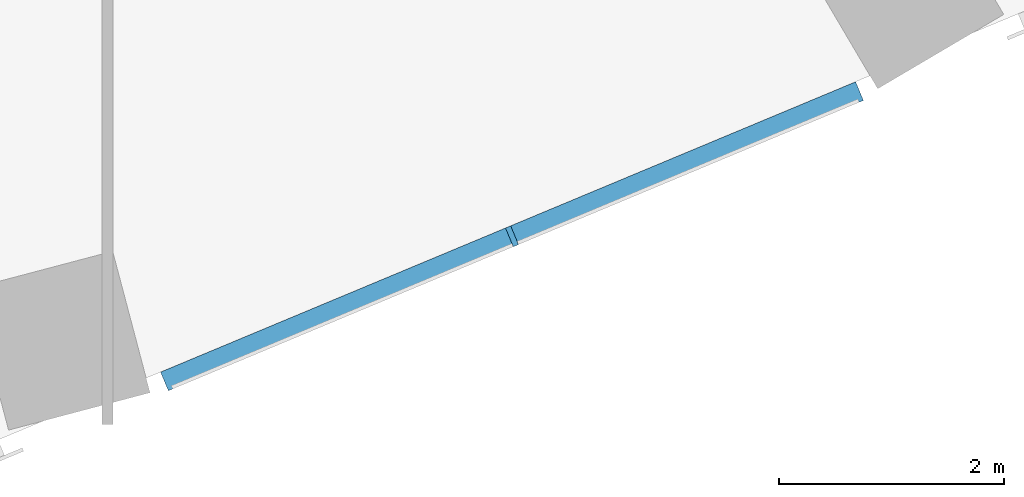
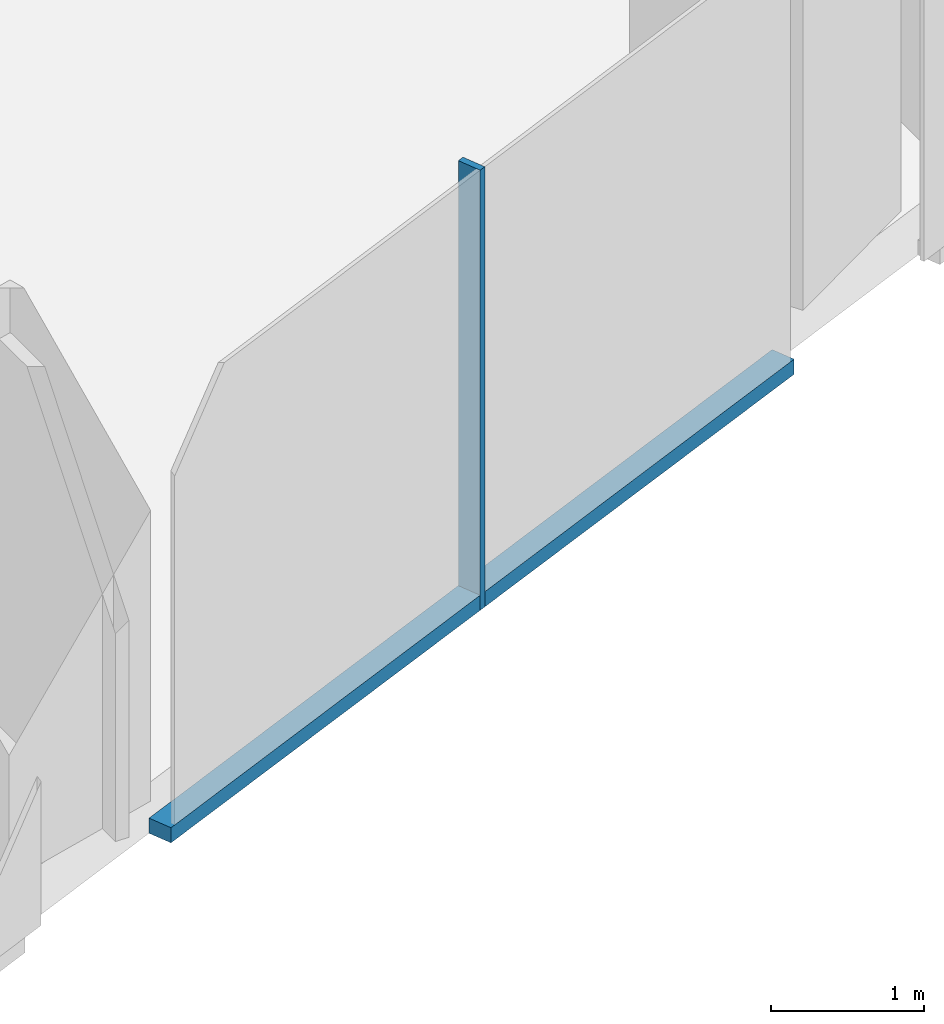
# One storey, part 6 of 34: 2 members, 1 element without a shape of its own.
"""IFC4 building model written with IfcOpenShell, lengths in metres."""

from ifc_helpers import new_model, si_unit, direction, frame, origin, origin_2d, place, context, subcontext, project, spatial, rectangle, extrude, material, material_profile, profile_set, type_object, element, aggregate, save


model = new_model("IFC4")

# Units and contexts
model_context = context("Model", 3, precision=1e-05, world=origin(), true_north=direction((0.0, 1.0)))
body_context = subcontext(model_context, "Body", "Model", "MODEL_VIEW")
ifc_project = project(units=[si_unit("LENGTHUNIT", "METRE"), si_unit("AREAUNIT", "SQUARE_METRE"), si_unit("VOLUMEUNIT", "CUBIC_METRE"), si_unit("PLANEANGLEUNIT", "RADIAN"), si_unit("MASSUNIT", "GRAM", prefix="KILO")], contexts=[model_context])

# Site, building, storey
site_placement = place(None, origin())
site = spatial("IfcSite", under=ifc_project, at=site_placement, CompositionType="ELEMENT")
building_placement = place(site_placement, origin())
building = spatial("IfcBuilding", under=site, at=building_placement, Name="Orlundy Tower", CompositionType="ELEMENT")
storey_placement = place(building_placement, frame((0.0, 0.0, 109.199951171875)))
storey = spatial("IfcBuildingStorey", under=building, at=storey_placement, Name="L27", CompositionType="ELEMENT", Elevation=109.199951171875)

# Curtain wall, members
ifc_material_1 = material(Name="Aluminium bronze anodised", Category="aluminium")
curtain_wall_type = type_object("IfcCurtainWallType", Name="CW1 wall", PredefinedType="NOTDEFINED", material=ifc_material_1)
curtain_wall_placement = place(storey_placement, origin())
curtain_wall = element("IfcCurtainWall", 1, at=curtain_wall_placement, inside=storey, type_object=curtain_wall_type, Name="CW1 run 01", PredefinedType="NOTDEFINED")
ifc_material_2 = material(Name="Aluminium bronze anodised", Category="aluminium")
ifc_material_profile_1 = material_profile(ifc_material_2, rectangle(XDim=0.179931640625, YDim=0.050048828125, at=origin_2d()), Name="CW1 mullion 50x180")
ifc_profile_set_1 = profile_set([ifc_material_profile_1], Name="Aluminium bronze anodised")
member_type_1 = type_object("IfcMemberType", Name="CW1 mullion 50x180", PredefinedType="MULLION", material=ifc_profile_set_1)
member_1_placement = place(storey_placement, frame((11.595703125, -27.76611328125, -0.39990234375), z_axis=(0.0, 0.0, 1.0), x_axis=(0.385377262048, -0.922759105019, 0.0)))
member_1 = element("IfcMember", 2, at=member_1_placement, type_object=member_type_1, Name="CW1 mullion 8", PredefinedType="MULLION", context=body_context, shape_type="SweptSolid", body=[
    extrude(rectangle(XDim=0.179931640625, YDim=0.050048828125, at=origin_2d()), origin(), (0.0, 0.0, 1.0), 3.5),
])
ifc_material_3 = material(Name="Aluminium bronze anodised", Category="aluminium")
ifc_material_profile_2 = material_profile(ifc_material_3, rectangle(XDim=0.179931640625, YDim=0.1201171875, at=origin_2d()), Name="CW1 transom 180x120")
ifc_profile_set_2 = profile_set([ifc_material_profile_2], Name="Aluminium bronze anodised")
member_type_2 = type_object("IfcMemberType", Name="CW1 transom 180x120", PredefinedType="USERDEFINED", material=ifc_profile_set_2)
member_2_placement = place(storey_placement, frame((14.6845703125, -26.47607421875, -0.33984375), z_axis=(-0.922764802462, -0.385363619635, 0.0), x_axis=(0.385363619635, -0.922764802462, 0.0)))
member_2 = element("IfcMember", 3, at=member_2_placement, type_object=member_type_2, Name="CW1 transom", ObjectType="TRANSOM", PredefinedType="USERDEFINED", context=body_context, shape_type="SweptSolid", body=[
    extrude(rectangle(XDim=0.179931640625, YDim=0.1201171875, at=origin_2d()), origin(), (0.0, 0.0, 1.0), 6.694580078125),
])
aggregate(curtain_wall, [member_1, member_2])

save(model, "model.ifc")
